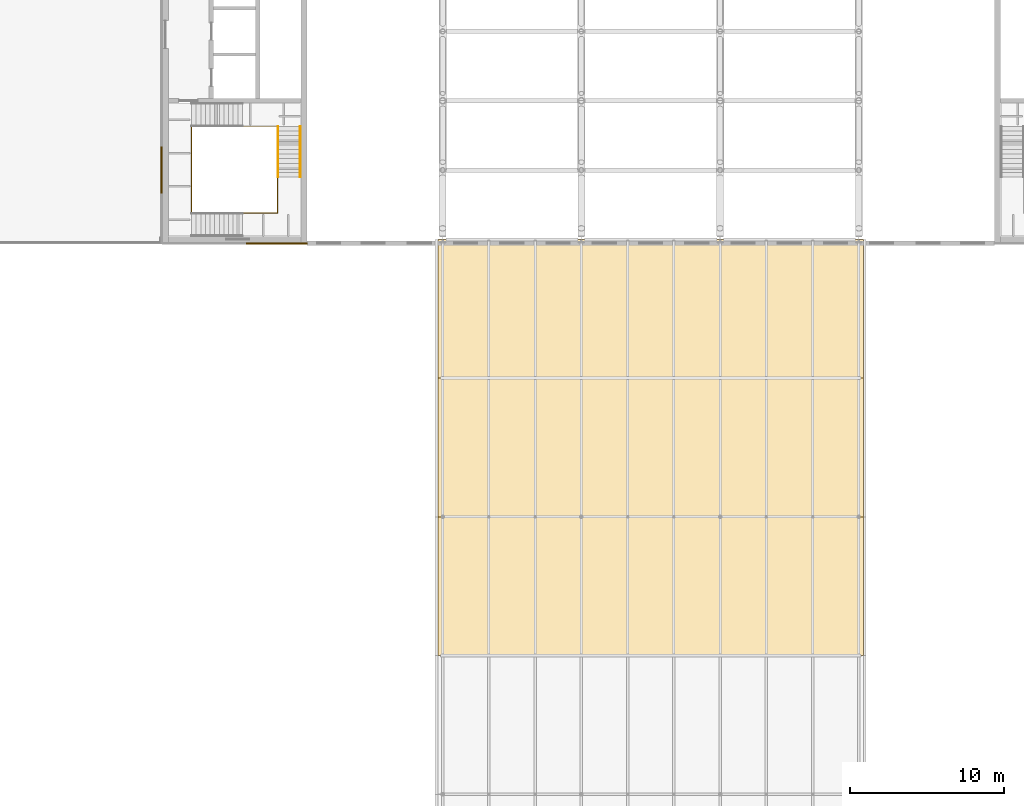
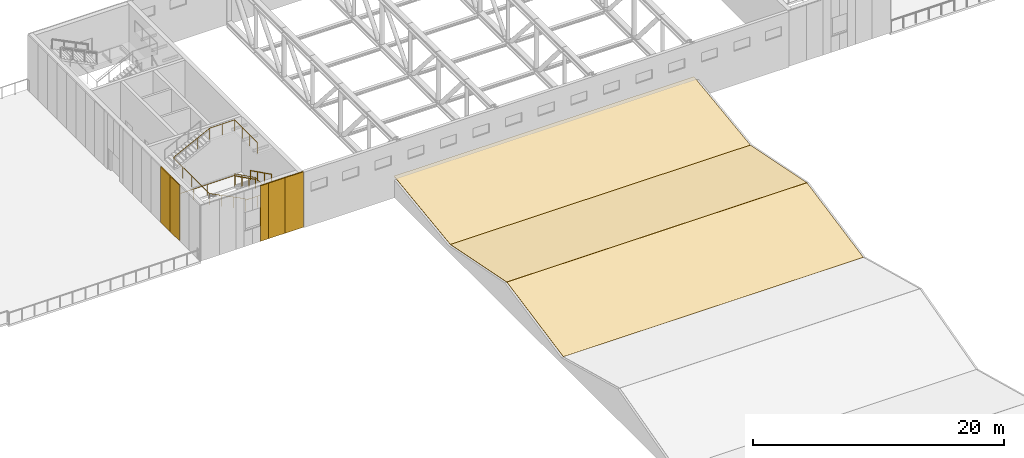
# One storey, part 25 of 29: 8 coverings, 3 railings.
"""IFC4 building model written with IfcOpenShell, lengths in metres."""

from ifc_helpers import new_model, si_unit, direction, frame, origin, origin_2d, place, context, subcontext, project, spatial, polyline, rectangle, circle, outline, extrude, material, layer, layer_set, type_object, element, save


model = new_model("IFC4")

# Units and contexts
model_context = context("Model", 3, precision=1e-05, world=origin(), true_north=direction((0.0, 1.0)))
body_context = subcontext(model_context, "Body", "Model", "MODEL_VIEW")
ifc_project = project(units=[si_unit("LENGTHUNIT", "METRE"), si_unit("AREAUNIT", "SQUARE_METRE"), si_unit("VOLUMEUNIT", "CUBIC_METRE"), si_unit("PLANEANGLEUNIT", "RADIAN"), si_unit("MASSUNIT", "GRAM", prefix="KILO")], contexts=[model_context])

# Site, building, storey
site_placement = place(None, origin())
site = spatial("IfcSite", under=ifc_project, at=site_placement, CompositionType="ELEMENT")
building_placement = place(site_placement, origin())
building = spatial("IfcBuilding", under=site, at=building_placement, Name="Azimuth Sports and Learning Centre", CompositionType="ELEMENT")
storey_placement = place(building_placement, frame((0.0, 0.0, 27.0)))
storey = spatial("IfcBuildingStorey", under=building, at=storey_placement, Name="L05", CompositionType="ELEMENT", Elevation=27.0)

# Coverings
ifc_material_1 = material(Name="Cladding panel")
ifc_layer_1 = layer(ifc_material_1, 0.10009765625)
ifc_layer_set_1 = layer_set([ifc_layer_1], Name="Cladding panel")
covering_type_1 = type_object("IfcCoveringType", Name="Cladding panel 100", PredefinedType="CLADDING", material=ifc_layer_set_1)
covering_1_placement = place(storey_placement, frame((59.625, 89.75, 0.0), z_axis=(0.0, 0.0, 1.0), x_axis=(1.0, 0.0, 0.0)))
element("IfcCovering", 1, at=covering_1_placement, inside=storey, type_object=covering_type_1, Name="Cladding panel S-CORE W L05 6", PredefinedType="CLADDING", context=body_context, shape_type="SweptSolid", body=[
    extrude(rectangle(XDim=0.75, YDim=0.10009765625, at=origin_2d()), origin(), (0.0, 0.0, 1.0), 5.39990234375),
])
covering_2_placement = place(storey_placement, frame((60.75, 89.75, 0.0), z_axis=(0.0, 0.0, 1.0), x_axis=(1.0, 0.0, 0.0)))
element("IfcCovering", 2, at=covering_2_placement, inside=storey, type_object=covering_type_1, Name="Cladding panel S-CORE W L05 9", PredefinedType="CLADDING", context=body_context, shape_type="SweptSolid", body=[
    extrude(rectangle(XDim=1.5, YDim=0.10009765625, at=origin_2d()), origin(), (0.0, 0.0, 1.0), 5.39990234375),
])
covering_3_placement = place(storey_placement, frame((62.35009765625, 89.75, 0.0), z_axis=(0.0, 0.0, 1.0), x_axis=(1.0, 0.0, 0.0)))
element("IfcCovering", 3, at=covering_3_placement, inside=storey, type_object=covering_type_1, Name="Cladding panel S-CORE W L05 10", PredefinedType="CLADDING", context=body_context, shape_type="SweptSolid", body=[
    extrude(rectangle(XDim=1.699951171875, YDim=0.10009765625, at=origin_2d()), origin(), (0.0, 0.0, 1.0), 5.39990234375),
])
for number, where, z_axis, x_axis, name in (
    (4, (53.75, 95.25, 0.0), (0.0, 0.0, 1.0), (0.0, -1.0, 0.0), "Cladding panel W-CORE W L05 17"),
    (5, (53.75, 93.75, 0.0), (0.0, 0.0, 1.0), (0.0, -1.0, 0.0), "Cladding panel W-CORE W L05 18"),
):
    element("IfcCovering", number, at=place(storey_placement, frame(where, z_axis=z_axis, x_axis=x_axis)), inside=storey, type_object=covering_type_1, Name=name, PredefinedType="CLADDING", context=body_context, shape_type="SweptSolid", body=[
        extrude(rectangle(XDim=1.5, YDim=0.10009765625, at=origin_2d()), origin(), (0.0, 0.0, 1.0), 5.39990234375),
    ])
ifc_material_2 = material(Name="Aluminium standing seam", Category="aluminium")
ifc_layer_2 = layer(ifc_material_2, 0.030029296875)
ifc_layer_set_2 = layer_set([ifc_layer_2], Name="Aluminium standing seam")
covering_type_2 = type_object("IfcCoveringType", Name="Roofing standing seam 30", PredefinedType="ROOFING", material=ifc_layer_set_2)
for number, where, z_axis, x_axis, name in (
    (6, (71.699951171875, 62.994140625, 0.62939453125), (0.0, -0.196121250506, 0.980579652604), (1.0, 0.0, 0.0), "Roofing FOLD08"),
    (7, (71.699951171875, 72.005859375, 2.429443359375), (0.0, 0.196121250506, 0.980579652604), (1.0, 0.0, 0.0), "Roofing FOLD09"),
):
    element("IfcCovering", number, at=place(storey_placement, frame(where, z_axis=z_axis, x_axis=x_axis)), inside=storey, type_object=covering_type_2, Name=name, PredefinedType="ROOFING", context=body_context, shape_type="SweptSolid", body=[
        extrude(outline(polyline([(0.0, 0.0), (27.60009765625, 0.0), (27.60009765625, 9.17824470057506), (0.0, 9.17824470057506), (0.0, 0.0)])), origin(), (0.0, 0.0, -1.0), 0.030029296875),
    ])
covering_4_placement = place(storey_placement, frame((71.699951171875, 80.99609375, 0.629638671875), z_axis=(0.0, -0.132184855285, 0.991225082427), x_axis=(1.0, 0.0, 0.0)))
element("IfcCovering", 8, at=covering_4_placement, inside=storey, type_object=covering_type_2, Name="Roofing FOLD10", PredefinedType="ROOFING", context=body_context, shape_type="SweptSolid", body=[
    extrude(outline(polyline([(0.0, 0.0), (27.60009765625, 0.0), (27.60009765625, 9.079673385543499), (0.0, 9.079673385543499), (0.0, 0.0)])), origin(), (0.0, 0.0, -1.0), 0.030029296875),
])

# Railings
ifc_material_3 = material(Name="Stainless steel", Category="steel")
railing_type_1 = type_object("IfcRailingType", Name="Stair guard 1100", PredefinedType="GUARDRAIL", material=ifc_material_3)
railing_placement = place(storey_placement, frame((56.25, 97.340087890625, 0.0)))
element("IfcRailing", 9, at=railing_placement, inside=storey, type_object=railing_type_1, Name="Guard W1 L05 well", PredefinedType="GUARDRAIL", context=body_context, shape_type="SweptSolid", body=[
    extrude(circle(Radius=0.02392578125, at=origin_2d()), frame((0.0, 0.0, 1.076171875), z_axis=(1.0, 0.0, 0.0), x_axis=(0.0, 1.0, 0.0)), (0.0, 0.0, 1.0), 5.0400390625),
    extrude(circle(Radius=0.02392578125, at=origin_2d()), frame((5.0400390625, 0.0, 1.076171875), z_axis=(0.0, 0.0, 1.0), x_axis=(1.0, 0.0, 0.0)), (0.0, 0.0, 1.0), 0.14990234375),
    extrude(circle(Radius=0.02392578125, at=origin_2d()), frame((5.0400390625, 0.0, 1.22607421875), z_axis=(0.0, -0.894413956696, 0.447240063129), x_axis=(1.0, 0.0, 0.0)), (0.0, 0.0, 1.0), 3.689697265625),
    extrude(circle(Radius=0.02392578125, at=origin_2d()), frame((5.0400390625, -3.300048828125, 2.8759765625), z_axis=(0.0, -1.0, 0.0), x_axis=(1.0, 0.0, 0.0)), (0.0, 0.0, 1.0), 2.330078125),
    extrude(circle(Radius=0.02392578125, at=origin_2d()), frame((5.0400390625, -5.630126953125, 2.8759765625), z_axis=(-1.0, 0.0, 0.0), x_axis=(0.0, -1.0, 0.0)), (0.0, 0.0, 1.0), 2.280029296875),
    extrude(circle(Radius=0.02392578125, at=origin_2d()), frame((2.760009765625, -5.630126953125, 2.8759765625), z_axis=(0.0, 0.0, 1.0), x_axis=(1.0, 0.0, 0.0)), (0.0, 0.0, 1.0), 0.14990234375),
    extrude(circle(Radius=0.02392578125, at=origin_2d()), frame((2.760009765625, -5.630126953125, 3.02587890625), z_axis=(-0.894413956696, 0.0, 0.447240063129), x_axis=(0.0, -1.0, 0.0)), (0.0, 0.0, 1.0), 3.689697265625),
    extrude(circle(Radius=0.02392578125, at=origin_2d()), frame((-0.5400390625, -5.630126953125, 4.67626953125), z_axis=(0.0, 1.0, 0.0), x_axis=(-1.0, 0.0, 0.0)), (0.0, 0.0, 1.0), 5.630126953125),
    extrude(circle(Radius=0.02392578125, at=origin_2d()), frame((-0.5400390625, 0.0, 4.67626953125), z_axis=(0.0, 0.0, 1.0), x_axis=(1.0, 0.0, 0.0)), (0.0, 0.0, 1.0), 0.14990234375),
    extrude(circle(Radius=0.02392578125, at=origin_2d()), frame((-0.5400390625, 0.0, 4.826171875), z_axis=(0.894440424912, 0.0, 0.447187126696), x_axis=(0.0, 1.0, 0.0)), (0.0, 0.0, 1.0), 3.689453125),
    extrude(circle(Radius=0.02392578125, at=origin_2d()), frame((2.760009765625, 0.0, 6.47607421875), z_axis=(1.0, 0.0, 0.0), x_axis=(0.0, 1.0, 0.0)), (0.0, 0.0, 1.0), 2.280029296875),
    extrude(circle(Radius=0.02392578125, at=origin_2d()), frame((5.0400390625, 0.0, 6.47607421875), z_axis=(0.0, -1.0, 0.0), x_axis=(1.0, 0.0, 0.0)), (0.0, 0.0, 1.0), 3.590087890625),
    extrude(circle(Radius=0.01611328125, at=origin_2d()), origin(), (0.0, 0.0, 1.0), 1.052001953125),
    extrude(circle(Radius=0.01611328125, at=origin_2d()), frame((1.260009765625, 0.0, 0.0)), (0.0, 0.0, 1.0), 1.052001953125),
    extrude(circle(Radius=0.01611328125, at=origin_2d()), frame((2.52001953125, 0.0, 0.0)), (0.0, 0.0, 1.0), 1.052001953125),
    extrude(circle(Radius=0.01611328125, at=origin_2d()), frame((3.780029296875, 0.0, 0.0)), (0.0, 0.0, 1.0), 1.052001953125),
    extrude(circle(Radius=0.01611328125, at=origin_2d()), frame((5.0400390625, 0.0, 0.0)), (0.0, 0.0, 1.0), 1.052001953125),
    extrude(circle(Radius=0.01611328125, at=origin_2d()), frame((5.0400390625, 0.0, 0.14990234375)), (0.0, 0.0, 1.0), 1.052001953125),
    extrude(circle(Radius=0.01611328125, at=origin_2d()), frame((5.0400390625, -1.10009765625, 0.699951171875)), (0.0, 0.0, 1.0), 1.052001953125),
    extrude(circle(Radius=0.01611328125, at=origin_2d()), frame((5.0400390625, -2.199951171875, 1.25)), (0.0, 0.0, 1.0), 1.052001953125),
    extrude(circle(Radius=0.01611328125, at=origin_2d()), frame((5.0400390625, -3.300048828125, 1.800048828125)), (0.0, 0.0, 1.0), 1.052001953125),
    extrude(circle(Radius=0.01611328125, at=origin_2d()), frame((5.0400390625, -4.465087890625, 1.800048828125)), (0.0, 0.0, 1.0), 1.052001953125),
    extrude(circle(Radius=0.01611328125, at=origin_2d()), frame((5.0400390625, -5.630126953125, 1.800048828125)), (0.0, 0.0, 1.0), 1.052001953125),
    extrude(circle(Radius=0.01611328125, at=origin_2d()), frame((3.89990234375, -5.630126953125, 1.800048828125)), (0.0, 0.0, 1.0), 1.052001953125),
    extrude(circle(Radius=0.01611328125, at=origin_2d()), frame((2.760009765625, -5.630126953125, 1.800048828125)), (0.0, 0.0, 1.0), 1.052001953125),
    extrude(circle(Radius=0.01611328125, at=origin_2d()), frame((2.760009765625, -5.630126953125, 1.949951171875)), (0.0, 0.0, 1.0), 1.052001953125),
    extrude(circle(Radius=0.01611328125, at=origin_2d()), frame((1.659912109375, -5.630126953125, 2.5)), (0.0, 0.0, 1.0), 1.052001953125),
    extrude(circle(Radius=0.01611328125, at=origin_2d()), frame((0.56005859375, -5.630126953125, 3.050048828125)), (0.0, 0.0, 1.0), 1.052001953125),
    extrude(circle(Radius=0.01611328125, at=origin_2d()), frame((-0.5400390625, -5.630126953125, 3.60009765625)), (0.0, 0.0, 1.0), 1.052001953125),
    extrude(circle(Radius=0.01611328125, at=origin_2d()), frame((-0.5400390625, -4.22265625, 3.60009765625)), (0.0, 0.0, 1.0), 1.052001953125),
    extrude(circle(Radius=0.01611328125, at=origin_2d()), frame((-0.5400390625, -2.81494140625, 3.60009765625)), (0.0, 0.0, 1.0), 1.052001953125),
    extrude(circle(Radius=0.01611328125, at=origin_2d()), frame((-0.5400390625, -1.407470703125, 3.60009765625)), (0.0, 0.0, 1.0), 1.052001953125),
    extrude(circle(Radius=0.01611328125, at=origin_2d()), frame((-0.5400390625, 0.0, 3.60009765625)), (0.0, 0.0, 1.0), 1.052001953125),
    extrude(circle(Radius=0.01611328125, at=origin_2d()), frame((-0.5400390625, 0.0, 3.75)), (0.0, 0.0, 1.0), 1.052001953125),
    extrude(circle(Radius=0.01611328125, at=origin_2d()), frame((0.56005859375, 0.0, 4.300048828125)), (0.0, 0.0, 1.0), 1.052001953125),
    extrude(circle(Radius=0.01611328125, at=origin_2d()), frame((1.659912109375, 0.0, 4.849853515625)), (0.0, 0.0, 1.0), 1.052001953125),
    extrude(circle(Radius=0.01611328125, at=origin_2d()), frame((2.760009765625, 0.0, 5.39990234375)), (0.0, 0.0, 1.0), 1.052001953125),
    extrude(circle(Radius=0.01611328125, at=origin_2d()), frame((3.89990234375, 0.0, 5.39990234375)), (0.0, 0.0, 1.0), 1.052001953125),
    extrude(circle(Radius=0.01611328125, at=origin_2d()), frame((5.0400390625, 0.0, 5.39990234375)), (0.0, 0.0, 1.0), 1.052001953125),
    extrude(circle(Radius=0.01611328125, at=origin_2d()), frame((5.0400390625, -1.19677734375, 5.39990234375)), (0.0, 0.0, 1.0), 1.052001953125),
    extrude(circle(Radius=0.01611328125, at=origin_2d()), frame((5.0400390625, -2.393310546875, 5.39990234375)), (0.0, 0.0, 1.0), 1.052001953125),
    extrude(circle(Radius=0.01611328125, at=origin_2d()), frame((5.0400390625, -3.590087890625, 5.39990234375)), (0.0, 0.0, 1.0), 1.052001953125),
])
ifc_material_4 = material(Name="Stainless steel", Category="steel")
railing_type_2 = type_object("IfcRailingType", Name="Stair handrail 42", PredefinedType="HANDRAIL", material=ifc_material_4)
for number, where, name in (
    (10, (61.320068359375, 97.340087890625, 0.14990234375), "Handrail W1 L05 flight 1 inner"),
    (11, (62.760009765625, 97.340087890625, 0.14990234375), "Handrail W1 L05 flight 1 outer"),
):
    element("IfcRailing", number, at=place(storey_placement, frame(where)), inside=storey, type_object=railing_type_2, Name=name, PredefinedType="HANDRAIL", context=body_context, shape_type="SweptSolid", body=[
        extrude(circle(Radius=0.02099609375, at=origin_2d()), frame((0.0, 0.0, 0.87890625), z_axis=(0.0, -0.894413956696, 0.447240063129), x_axis=(1.0, 0.0, 0.0)), (0.0, 0.0, 1.0), 3.689697265625),
        extrude(circle(Radius=0.01611328125, at=origin_2d()), origin(), (0.0, 0.0, 1.0), 0.85791015625),
        extrude(circle(Radius=0.01611328125, at=origin_2d()), frame((0.0, -1.10009765625, 0.550048828125)), (0.0, 0.0, 1.0), 0.85791015625),
        extrude(circle(Radius=0.01611328125, at=origin_2d()), frame((0.0, -2.199951171875, 1.10009765625)), (0.0, 0.0, 1.0), 0.85791015625),
        extrude(circle(Radius=0.01611328125, at=origin_2d()), frame((0.0, -3.300048828125, 1.650146484375)), (0.0, 0.0, 1.0), 0.85791015625),
    ])

save(model, "model.ifc")
